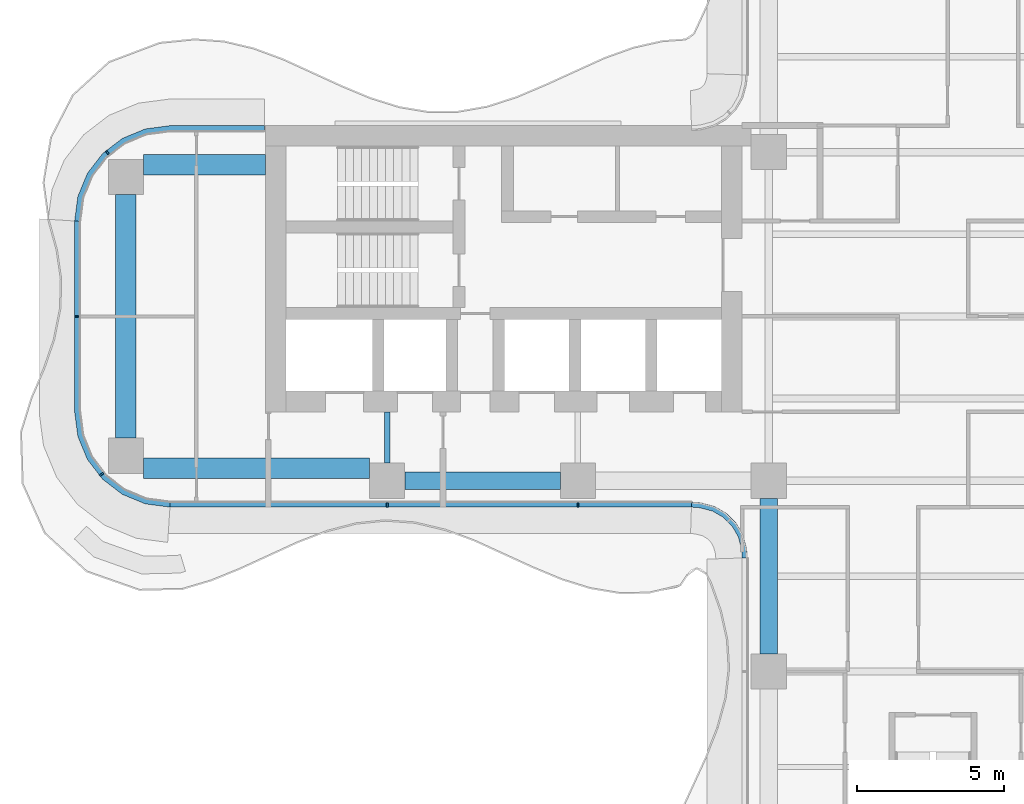
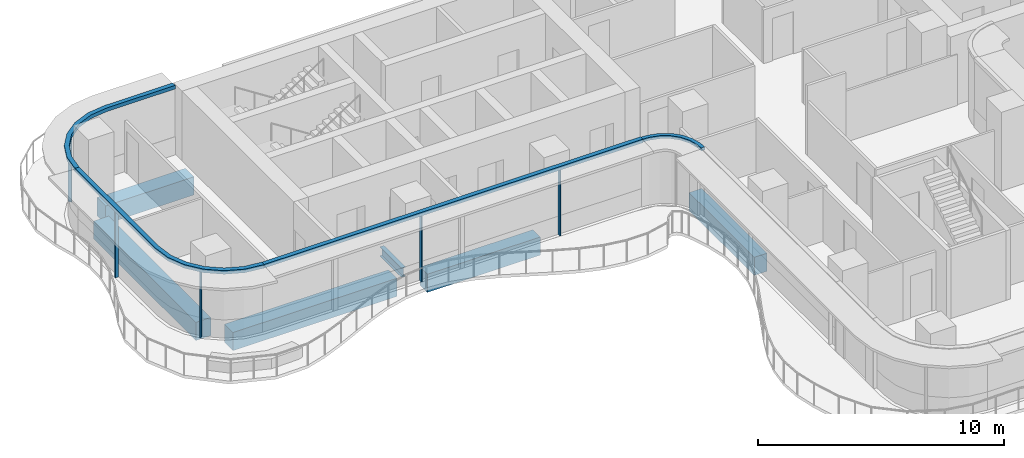
# One storey, part 3 of 17: 9 members, 6 beams, 4 elements without a shape of their own.
"""IFC4 building model written with IfcOpenShell, lengths in metres."""

from ifc_helpers import new_model, si_unit, direction, frame, origin, origin_2d, place, context, subcontext, project, spatial, polyline, rectangle, i_section, outline, extrude, source, transform, mapped, material, layer, layer_set, material_profile, profile_set, type_object, element, aggregate, save


model = new_model("IFC4")

# Units and contexts
model_context = context("Model", 3, precision=1e-05, world=origin(), true_north=direction((0.0, 1.0)))
body_context = subcontext(model_context, "Body", "Model", "MODEL_VIEW")
ifc_project = project(units=[si_unit("LENGTHUNIT", "METRE"), si_unit("AREAUNIT", "SQUARE_METRE"), si_unit("VOLUMEUNIT", "CUBIC_METRE"), si_unit("PLANEANGLEUNIT", "RADIAN"), si_unit("MASSUNIT", "GRAM", prefix="KILO")], contexts=[model_context])

# Site, building, storey
site_placement = place(None, origin())
site = spatial("IfcSite", under=ifc_project, at=site_placement, CompositionType="ELEMENT")
building_placement = place(site_placement, origin())
building = spatial("IfcBuilding", under=site, at=building_placement, Name="Trellis Farm Tower", CompositionType="ELEMENT")
storey_placement = place(building_placement, frame((0.0, 0.0, 208.800048828125)))
storey = spatial("IfcBuildingStorey", under=building, at=storey_placement, Name="L46", CompositionType="ELEMENT", Elevation=208.800048828125)

# Beams
ifc_material_1 = material(Name="Concrete C60/75", Category="concrete")
ifc_material_profile_1 = material_profile(ifc_material_1, rectangle(XDim=0.60009765625, YDim=0.89990234375, at=origin_2d()), Name="RC spandrel beam 600x900 C60/75")
ifc_profile_set_1 = profile_set([ifc_material_profile_1], Name="Concrete C60/75")
beam_type_1 = type_object("IfcBeamType", Name="RC spandrel beam 600x900 C60/75", PredefinedType="SPANDREL", material=ifc_profile_set_1)
shared_shape_1 = source(origin(), body_context, "Body", "SweptSolid", [
    extrude(rectangle(XDim=0.60009765625, YDim=0.89990234375, at=origin_2d()), origin(), (0.0, 0.0, 1.0), 5.300048828125),
])
for number, where, z_axis, x_axis, name in (
    (1, (-18.0, -5.60009765625, -0.650146484375), (1.0, 0.0, 0.0), (0.0, 1.0, 0.0), "Girder"),
    (2, (-5.60009765625, -11.5, -0.650146484375), (0.0, 1.0, 0.0), (-1.0, 0.0, 0.0), "Girder"),
):
    element("IfcBeam", number, at=place(storey_placement, frame(where, z_axis=z_axis, x_axis=x_axis)), inside=storey, type_object=beam_type_1, Name=name, PredefinedType="SPANDREL", context=body_context, shape_type="MappedRepresentation", body=[
        mapped(shared_shape_1, transform((0.0, 0.0, 0.0))),
    ])
ifc_material_profile_2 = material_profile(ifc_material_1, rectangle(XDim=0.699951171875, YDim=0.89990234375, at=origin_2d()), Name="RC spandrel beam 700x900 C60/75")
ifc_profile_set_2 = profile_set([ifc_material_profile_2], Name="Concrete C60/75")
beam_type_2 = type_object("IfcBeamType", Name="RC spandrel beam 700x900 C60/75", PredefinedType="SPANDREL", material=ifc_profile_set_2)
shared_shape_2 = source(origin(), body_context, "Body", "SweptSolid", [
    extrude(rectangle(XDim=0.699951171875, YDim=0.89990234375, at=origin_2d()), origin(), (0.0, 0.0, 1.0), 8.2998046875),
])
beam_1_placement = place(storey_placement, frame((-27.5, -4.14990234375, -0.650146484375), z_axis=(0.0, 1.0, 0.0), x_axis=(-1.0, 0.0, 0.0)))
element("IfcBeam", 3, at=beam_1_placement, inside=storey, type_object=beam_type_2, Name="Girder", PredefinedType="SPANDREL", context=body_context, shape_type="MappedRepresentation", body=[
    mapped(shared_shape_2, transform((0.0, 0.0, 0.0))),
])
ifc_material_2 = material(Name="Steel S355", Category="steel")
ifc_material_profile_3 = material_profile(ifc_material_2, i_section(OverallWidth=0.1904296875, OverallDepth=0.45703125, WebThickness=0.009033203125, FlangeThickness=0.014404296875, FilletRadius=0.01025390625, at=origin_2d()), Name="UB 457x191x74")
ifc_profile_set_3 = profile_set([ifc_material_profile_3], Name="Steel S355")
beam_type_3 = type_object("IfcBeamType", Name="UB 457x191x74", PredefinedType="BEAM", material=ifc_profile_set_3)
shared_shape_3 = source(origin(), body_context, "Body", "SweptSolid", [
    extrude(i_section(OverallWidth=0.1904296875, OverallDepth=0.45703125, WebThickness=0.009033203125, FlangeThickness=0.014404296875, FilletRadius=0.01025390625, at=origin_2d()), origin(), (0.0, 0.0, 1.0), 1.75),
])
beam_2_placement = place(storey_placement, frame((-18.60009765625, -5.0, -0.428466796875), z_axis=(0.0, 1.0, 0.0), x_axis=(-1.0, 0.0, 0.0)))
element("IfcBeam", 4, at=beam_2_placement, inside=storey, type_object=beam_type_3, Name="Girder", PredefinedType="BEAM", context=body_context, shape_type="MappedRepresentation", body=[
    mapped(shared_shape_3, transform((0.0, 0.0, 0.0))),
])
shared_shape_4 = source(origin(), body_context, "Body", "SweptSolid", [
    extrude(rectangle(XDim=0.699951171875, YDim=0.89990234375, at=origin_2d()), origin(), (0.0, 0.0, 1.0), 7.699951171875),
])
beam_3_placement = place(storey_placement, frame((-26.89990234375, -5.175048828125, -0.650146484375), z_axis=(1.0, 0.0, 0.0), x_axis=(0.0, 1.0, 0.0)))
element("IfcBeam", 5, at=beam_3_placement, inside=storey, type_object=beam_type_2, Name="Girder", PredefinedType="SPANDREL", context=body_context, shape_type="MappedRepresentation", body=[
    mapped(shared_shape_4, transform((0.0, 0.0, 0.0))),
])
shared_shape_5 = source(origin(), body_context, "Body", "SweptSolid", [
    extrude(rectangle(XDim=0.699951171875, YDim=0.89990234375, at=origin_2d()), origin(), (0.0, 0.0, 1.0), 4.14990234375),
])
beam_4_placement = place(storey_placement, frame((-26.89990234375, 5.175048828125, -0.650146484375), z_axis=(1.0, 0.0, 0.0), x_axis=(0.0, 1.0, 0.0)))
element("IfcBeam", 6, at=beam_4_placement, inside=storey, type_object=beam_type_2, Name="Girder", PredefinedType="SPANDREL", context=body_context, shape_type="MappedRepresentation", body=[
    mapped(shared_shape_5, transform((0.0, 0.0, 0.0))),
])

# Curtain wall, member
ifc_material_3 = material(Name="Aluminium and glass curtain wall", Category="aluminium")
ifc_layer_1 = layer(ifc_material_3, 0.166015625)
ifc_layer_set_1 = layer_set([ifc_layer_1], Name="WINTER GARDEN CURTAIN WALL CW3")
curtain_wall_type_1 = type_object("IfcCurtainWallType", Name="WINTER GARDEN CURTAIN WALL CW3", PredefinedType="NOTDEFINED", material=ifc_layer_set_1)
placement_1 = place(storey_placement, origin())
curtain_wall_1 = element("IfcCurtainWall", 7, at=placement_1, inside=storey, type_object=curtain_wall_type_1, Name="CW3 001", PredefinedType="NOTDEFINED")
ifc_material_4 = material(Name="Aluminium extrusion 6063-T6", Category="aluminium")
ifc_layer_2 = layer(ifc_material_4, 0.169921875)
ifc_layer_set_2 = layer_set([ifc_layer_2], Name="Aluminium extrusion 6063-T6")
member_type_1 = type_object("IfcMemberType", Name="CW3 TRANSOM 170x150", PredefinedType="USERDEFINED", material=ifc_layer_set_2)
shared_shape_6 = source(origin(), body_context, "Body", "SweptSolid", [
    extrude(outline(polyline([(-8.2314453125, -6.5), (-8.01953125, -6.513916015625), (-7.91552734375, -6.527587890625), (-7.508544921875, -6.63671875), (-7.144287109375, -6.846923828125), (-6.846923828125, -7.144287109375), (-6.63671875, -7.508544921875), (-6.527587890625, -7.91552734375), (-6.513916015625, -8.01953125), (-6.5, -8.2314453125), (-6.330078125, -8.225830078125), (-6.3447265625, -8.0029296875), (-6.360595703125, -7.88232421875), (-6.478271484375, -7.44287109375), (-6.7109375, -7.0400390625), (-7.0400390625, -6.7109375), (-7.44287109375, -6.478271484375), (-7.88232421875, -6.360595703125), (-8.0029296875, -6.3447265625), (-8.225830078125, -6.330078125), (-8.2314453125, -6.5)])), origin(), (0.0, 0.0, 1.0), 0.14990234375),
])
member_1_placement = place(storey_placement, frame((0.0, 0.0, 3.300048828125)))
member_1 = element("IfcMember", 8, at=member_1_placement, type_object=member_type_1, Name="TR3 001", ObjectType="TRANSOM", PredefinedType="USERDEFINED", context=body_context, shape_type="MappedRepresentation", body=[
    mapped(shared_shape_6, transform((0.0, 0.0, 0.0))),
])
aggregate(curtain_wall_1, [member_1])

ifc_layer_3 = layer(ifc_material_3, 0.18994140625)
ifc_layer_set_3 = layer_set([ifc_layer_3], Name="RIBBON CURTAIN WALL CW1")
curtain_wall_type_2 = type_object("IfcCurtainWallType", Name="RIBBON CURTAIN WALL CW1", PredefinedType="NOTDEFINED", material=ifc_layer_set_3)
curtain_wall_2 = element("IfcCurtainWall", 9, at=placement_1, inside=storey, type_object=curtain_wall_type_2, Name="CW1 001", PredefinedType="NOTDEFINED")
ifc_layer_4 = layer(ifc_material_4, 0.199951171875)
ifc_layer_set_4 = layer_set([ifc_layer_4], Name="Aluminium extrusion 6063-T6")
member_type_2 = type_object("IfcMemberType", Name="CW1 TRANSOM 200x180", PredefinedType="USERDEFINED", material=ifc_layer_set_4)
shared_shape_7 = source(origin(), body_context, "Body", "SweptSolid", [
    extrude(outline(polyline([(-26.0, -6.5), (-8.2314453125, -6.5), (-8.224853515625, -6.300048828125), (-25.98681640625, -6.300048828125), (-26.0, -6.5)])), origin(), (0.0, 0.0, 1.0), 0.179931640625),
])
placement_2 = place(storey_placement, frame((0.0, 0.0, 3.27001953125)))
member_2 = element("IfcMember", 10, at=placement_2, type_object=member_type_2, Name="TR1 001", ObjectType="TRANSOM", PredefinedType="USERDEFINED", context=body_context, shape_type="MappedRepresentation", body=[
    mapped(shared_shape_7, transform((0.0, 0.0, 0.0))),
])

curtain_wall_3 = element("IfcCurtainWall", 11, at=placement_1, inside=storey, type_object=curtain_wall_type_2, Name="CW1 012", PredefinedType="NOTDEFINED")
shared_shape_8 = source(origin(), body_context, "Body", "SweptSolid", [
    extrude(outline(polyline([(-22.780029296875, 6.5), (-26.0, 6.5), (-26.841064453125, 6.38916015625), (-27.625, 6.064697265625), (-28.298095703125, 5.548095703125), (-28.814697265625, 4.875), (-29.13916015625, 4.091064453125), (-29.25, 3.25), (-29.050048828125, 3.23681640625), (-28.9443359375, 4.0390625), (-28.639892578125, 4.774169921875), (-28.155517578125, 5.405517578125), (-27.524169921875, 5.889892578125), (-26.7890625, 6.1943359375), (-25.98681640625, 6.300048828125), (-22.780029296875, 6.300048828125), (-22.780029296875, 6.5)])), origin(), (0.0, 0.0, 1.0), 0.179931640625),
])
member_3 = element("IfcMember", 12, at=placement_2, type_object=member_type_2, Name="TR1 012", ObjectType="TRANSOM", PredefinedType="USERDEFINED", context=body_context, shape_type="MappedRepresentation", body=[
    mapped(shared_shape_8, transform((0.0, 0.0, 0.0))),
])

curtain_wall_4 = element("IfcCurtainWall", 13, at=placement_1, inside=storey, type_object=curtain_wall_type_2, Name="CW1 013", PredefinedType="NOTDEFINED")
shared_shape_9 = source(origin(), body_context, "Body", "SweptSolid", [
    extrude(outline(polyline([(-29.25, 3.25), (-29.25, -3.25), (-29.13916015625, -4.091064453125), (-28.814697265625, -4.875), (-28.298095703125, -5.548095703125), (-27.625, -6.064697265625), (-26.841064453125, -6.38916015625), (-26.0, -6.5), (-25.98681640625, -6.300048828125), (-26.7890625, -6.1943359375), (-27.524169921875, -5.889892578125), (-28.155517578125, -5.405517578125), (-28.639892578125, -4.774169921875), (-28.9443359375, -4.0390625), (-29.050048828125, -3.23681640625), (-29.050048828125, 3.23681640625), (-29.25, 3.25)])), origin(), (0.0, 0.0, 1.0), 0.179931640625),
])
member_4 = element("IfcMember", 14, at=placement_2, type_object=member_type_2, Name="TR1 013", ObjectType="TRANSOM", PredefinedType="USERDEFINED", context=body_context, shape_type="MappedRepresentation", body=[
    mapped(shared_shape_9, transform((0.0, 0.0, 0.0))),
])

# Member
ifc_material_profile_4 = material_profile(ifc_material_4, rectangle(XDim=0.06005859375, YDim=0.14990234375, at=origin_2d()), Name="MULLION 60x150")
ifc_profile_set_4 = profile_set([ifc_material_profile_4], Name="Aluminium extrusion 6063-T6")
member_type_3 = type_object("IfcMemberType", Name="CW1 MULLION 60x150", PredefinedType="MULLION", material=ifc_profile_set_4)
shared_shape_10 = source(origin(), body_context, "Body", "SweptSolid", [
    extrude(rectangle(XDim=0.06005859375, YDim=0.14990234375, at=origin_2d()), origin(), (0.0, 0.0, 1.0), 3.27001953125),
])
member_5_placement = place(storey_placement, frame((-18.60009765625, -6.425048828125, 0.0), z_axis=(0.0, 0.0, 1.0), x_axis=(1.0, 0.0, 0.0)))
member_5 = element("IfcMember", 15, at=member_5_placement, type_object=member_type_3, Name="MU1 001-01", PredefinedType="MULLION", context=body_context, shape_type="MappedRepresentation", body=[
    mapped(shared_shape_10, transform((0.0, 0.0, 0.0))),
])

member_6_placement = place(storey_placement, frame((-12.10009765625, -6.425048828125, 0.0), z_axis=(0.0, 0.0, 1.0), x_axis=(1.0, 0.0, 0.0)))
member_6 = element("IfcMember", 16, at=member_6_placement, type_object=member_type_3, Name="MU1 001-02", PredefinedType="MULLION", context=body_context, shape_type="MappedRepresentation", body=[
    mapped(shared_shape_10, transform((0.0, 0.0, 0.0))),
])

aggregate(curtain_wall_2, [member_5, member_6, member_2])

member_7_placement = place(storey_placement, frame((-28.135498046875, 5.578369140625, 0.0), z_axis=(0.0, 0.0, 1.0), x_axis=(-0.793353340291, -0.608761429009, 0.0)))
member_7 = element("IfcMember", 17, at=member_7_placement, type_object=member_type_3, Name="MU1 012-01", PredefinedType="MULLION", context=body_context, shape_type="MappedRepresentation", body=[
    mapped(shared_shape_10, transform((0.0, 0.0, 0.0))),
])

aggregate(curtain_wall_3, [member_7, member_3])

member_8_placement = place(storey_placement, frame((-29.175048828125, 0.0, 0.0), z_axis=(0.0, 0.0, 1.0), x_axis=(0.0, -1.0, 0.0)))
member_8 = element("IfcMember", 18, at=member_8_placement, type_object=member_type_3, Name="MU1 013-01", PredefinedType="MULLION", context=body_context, shape_type="MappedRepresentation", body=[
    mapped(shared_shape_10, transform((0.0, 0.0, 0.0))),
])

member_9_placement = place(storey_placement, frame((-28.328369140625, -5.385498046875, 0.0), z_axis=(0.0, 0.0, 1.0), x_axis=(0.608761429009, -0.793353340291, 0.0)))
member_9 = element("IfcMember", 19, at=member_9_placement, type_object=member_type_3, Name="MU1 013-02", PredefinedType="MULLION", context=body_context, shape_type="MappedRepresentation", body=[
    mapped(shared_shape_10, transform((0.0, 0.0, 0.0))),
])

aggregate(curtain_wall_4, [member_8, member_9, member_4])

save(model, "model.ifc")
